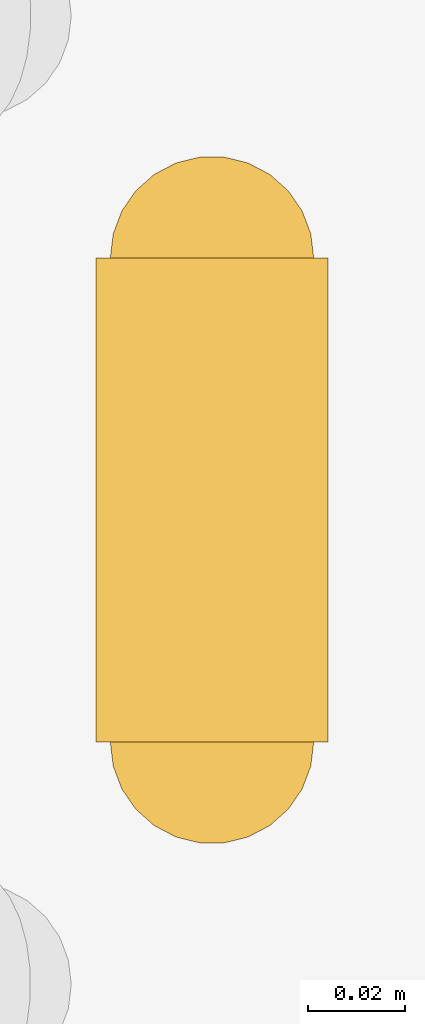
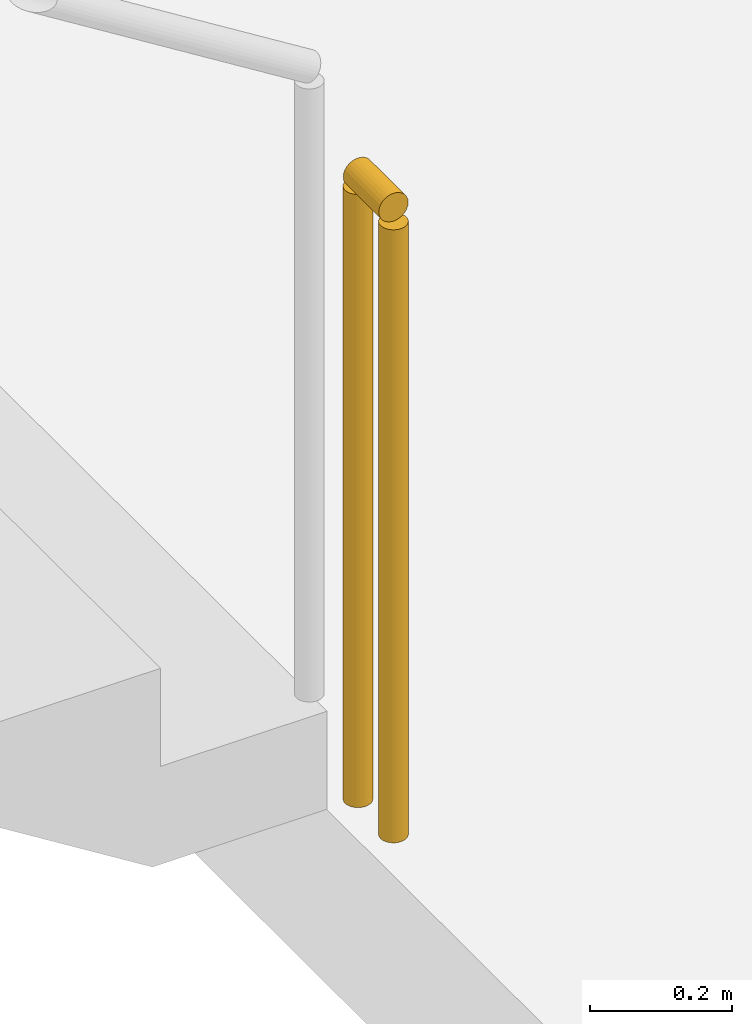
# One storey, part 15 of 16: 1 railing.
"""IFC4 building model written with IfcOpenShell, lengths in metres."""

from ifc_helpers import new_model, si_unit, direction, frame, origin, origin_2d, place, context, subcontext, project, spatial, circle, extrude, material, type_object, element, save


model = new_model("IFC4")

# Units and contexts
model_context = context("Model", 3, precision=1e-05, world=origin(), true_north=direction((0.0, 1.0)))
body_context = subcontext(model_context, "Body", "Model", "MODEL_VIEW")
ifc_project = project(units=[si_unit("LENGTHUNIT", "METRE"), si_unit("AREAUNIT", "SQUARE_METRE"), si_unit("VOLUMEUNIT", "CUBIC_METRE"), si_unit("PLANEANGLEUNIT", "RADIAN"), si_unit("MASSUNIT", "GRAM", prefix="KILO")], contexts=[model_context])

# Site, building, storey
site_placement = place(None, origin())
site = spatial("IfcSite", under=ifc_project, at=site_placement, CompositionType="ELEMENT")
building_placement = place(site_placement, origin())
building = spatial("IfcBuilding", under=site, at=building_placement, Name="Vermilion Reach Broadcast Tower", CompositionType="ELEMENT")
storey_placement = place(building_placement, frame((0.0, 0.0, 73.0)))
storey = spatial("IfcBuildingStorey", under=building, at=storey_placement, Name="L15", CompositionType="ELEMENT", Elevation=73.0)

# Railing
ifc_material = material(Name="Stainless steel", Category="steel")
railing_type = type_object("IfcRailingType", Name="Stair guard 1100", PredefinedType="GUARDRAIL", material=ifc_material)
railing_placement = place(storey_placement, frame((-0.949951171875, 5.639892578125, 0.0)))
element("IfcRailing", 1, at=railing_placement, inside=storey, type_object=railing_type, Name="L15 ST2 stair guard 4", PredefinedType="GUARDRAIL", context=body_context, shape_type="SweptSolid", body=[
    extrude(circle(Radius=0.02392578125, at=origin_2d()), frame((0.0, 0.0, 1.076171875), z_axis=(0.0, -1.0, 0.0), x_axis=(1.0, 0.0, 0.0)), (0.0, 0.0, 1.0), 0.099853515625),
    extrude(circle(Radius=0.02099609375, at=origin_2d()), origin(), (0.0, 0.0, 1.0), 1.052001953125),
    extrude(circle(Radius=0.02099609375, at=origin_2d()), frame((0.0, -0.099853515625, 0.0)), (0.0, 0.0, 1.0), 1.052001953125),
])

save(model, "model.ifc")
